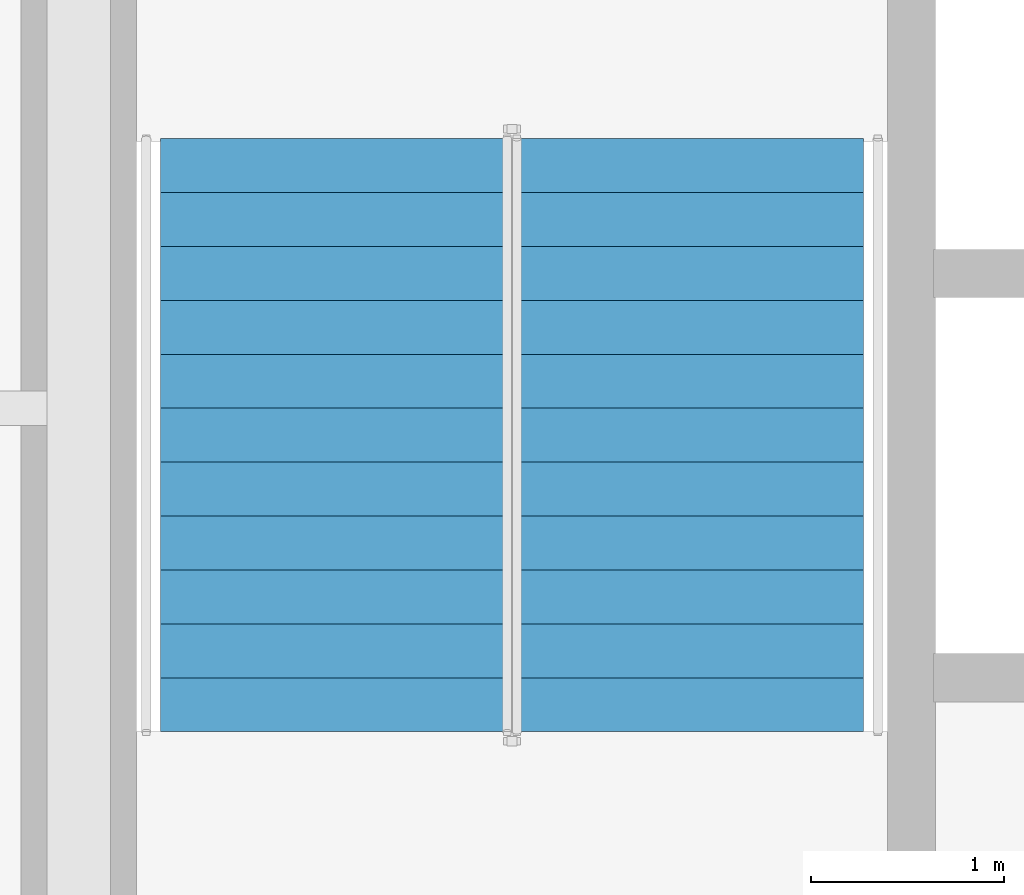
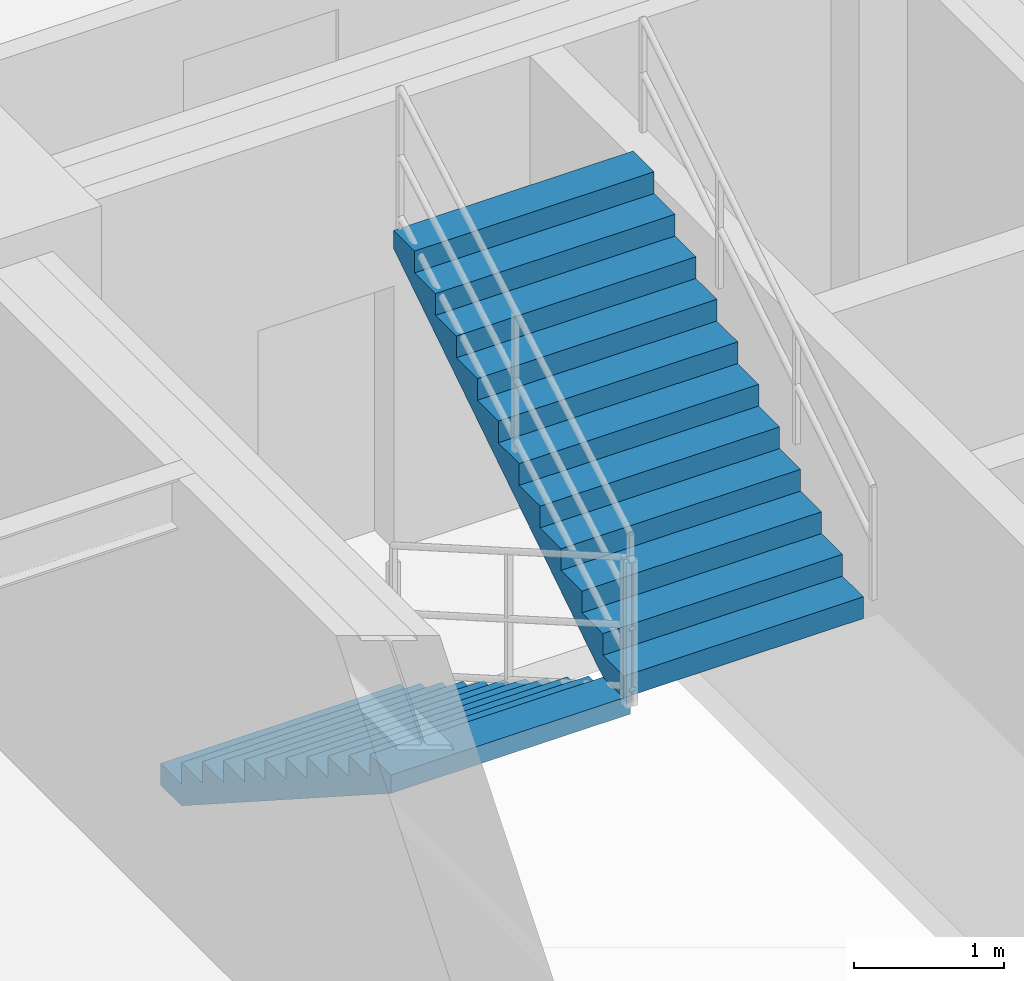
# One storey, part 7 of 10: 2 stair flights, 1 element without a shape of its own.
"""IFC4 building model written with IfcOpenShell, lengths in metres."""

from ifc_helpers import new_model, entity, si_unit, converted_unit, direction, frame, origin_with_axes, place, context, subcontext, project, spatial, polyline, outline, extrude, material, type_object, element, aggregate, save


model = new_model("IFC4")

# Units and contexts
model_context = context("Model", 3, precision=1e-05, world=origin_with_axes(), true_north=direction((0.0, 1.0)))
body_context = subcontext(model_context, "Body", "Model", "MODEL_VIEW")
ifc_project = project(units=[si_unit("LENGTHUNIT", "METRE"), si_unit("AREAUNIT", "SQUARE_METRE"), si_unit("VOLUMEUNIT", "CUBIC_METRE"), converted_unit("PLANEANGLEUNIT", "DEGREE", entity("IfcPlaneAngleMeasure", 0.017453292519943295), si_unit("PLANEANGLEUNIT", "RADIAN"), dimensions=[0, 0, 0, 0, 0, 0, 0]), si_unit("MASSUNIT", "GRAM", prefix="KILO"), si_unit("THERMODYNAMICTEMPERATUREUNIT", "KELVIN")], contexts=[model_context])

# Site, building, storey
site_placement = place(None, origin_with_axes())
site = spatial("IfcSite", under=ifc_project, at=site_placement, CompositionType="ELEMENT")
building_placement = place(site_placement, origin_with_axes())
building = spatial("IfcBuilding", under=site, at=building_placement, Name="Varnlund Millrace Tower", CompositionType="ELEMENT")
storey_placement = place(building_placement, frame((0.0, 0.0, 48.3), z_axis=(0.0, 0.0, 1.0), x_axis=(1.0, 0.0, 0.0)))
storey = spatial("IfcBuildingStorey", under=building, at=storey_placement, Name="L11", CompositionType="ELEMENT", Elevation=48.3)

# Stair, stair flights
ifc_material_1 = material(Name="Concrete C50/60", Category="concrete")
stair_type = type_object("IfcStairType", Name="Type-Stair-Dogleg-185-390", PredefinedType="HALF_TURN_STAIR", material=ifc_material_1)
stair_placement = place(storey_placement, origin_with_axes())
stair = element("IfcStair", 1, at=stair_placement, inside=storey, type_object=stair_type, Name="Type-Stair-Dogleg-185-390", PredefinedType="HALF_TURN_STAIR")
ifc_material_2 = material(Name="Precast concrete C50/60", Category="concrete")
stair_flight_type = type_object("IfcStairFlightType", Name="Type-Dogleg-Run-185-390", PredefinedType="STRAIGHT", material=ifc_material_2)
stair_flight_1_placement = place(storey_placement, frame((13.675, 35.9, 0.0), z_axis=(-1.0, 0.0, 0.0), x_axis=(0.0, -1.0, 0.0)))
stair_flight_1 = element("IfcStairFlight", 2, at=stair_flight_1_placement, type_object=stair_flight_type, Name="ST-A2 flight 1", NumberOfRisers=11, NumberOfTreads=11, PredefinedType="STRAIGHT", RiserHeight=0.177273, TreadLength=0.28, context=body_context, shape_type="SweptSolid", body=[
    extrude(outline(polyline([(0.0, 0.0), (0.0, 0.177273), (0.28, 0.177273), (0.28, 0.354545), (0.56, 0.354545), (0.56, 0.531818), (0.84, 0.531818), (0.84, 0.709091), (1.12, 0.709091), (1.12, 0.886364), (1.4, 0.886364), (1.4, 1.063636), (1.68, 1.063636), (1.68, 1.240909), (1.96, 1.240909), (1.96, 1.418182), (2.24, 1.418182), (2.24, 1.595454), (2.52, 1.595454), (2.52, 1.772727), (2.8, 1.772727), (2.8, 1.95), (3.08, 1.95), (3.08, 1.8), (0.28, 0.0), (0.0, 0.0)])), origin_with_axes(), (0.0, 0.0, 1.0), 1.85),
])
stair_flight_2_placement = place(storey_placement, frame((13.625, 32.82, 1.95), z_axis=(1.0, 0.0, 0.0), x_axis=(0.0, 1.0, 0.0)))
stair_flight_2 = element("IfcStairFlight", 3, at=stair_flight_2_placement, type_object=stair_flight_type, Name="ST-A2 flight 2", NumberOfRisers=11, NumberOfTreads=11, PredefinedType="STRAIGHT", RiserHeight=0.177273, TreadLength=0.28, context=body_context, shape_type="SweptSolid", body=[
    extrude(outline(polyline([(0.0, 0.0), (0.0, 0.177273), (0.28, 0.177273), (0.28, 0.354545), (0.56, 0.354545), (0.56, 0.531818), (0.84, 0.531818), (0.84, 0.709091), (1.12, 0.709091), (1.12, 0.886364), (1.4, 0.886364), (1.4, 1.063636), (1.68, 1.063636), (1.68, 1.240909), (1.96, 1.240909), (1.96, 1.418182), (2.24, 1.418182), (2.24, 1.595454), (2.52, 1.595454), (2.52, 1.772727), (2.8, 1.772727), (2.8, 1.95), (3.08, 1.95), (3.08, 1.8), (0.28, 0.0), (0.0, 0.0)])), origin_with_axes(), (0.0, 0.0, 1.0), 1.85),
])
aggregate(stair, [stair_flight_1, stair_flight_2])

save(model, "model.ifc")
